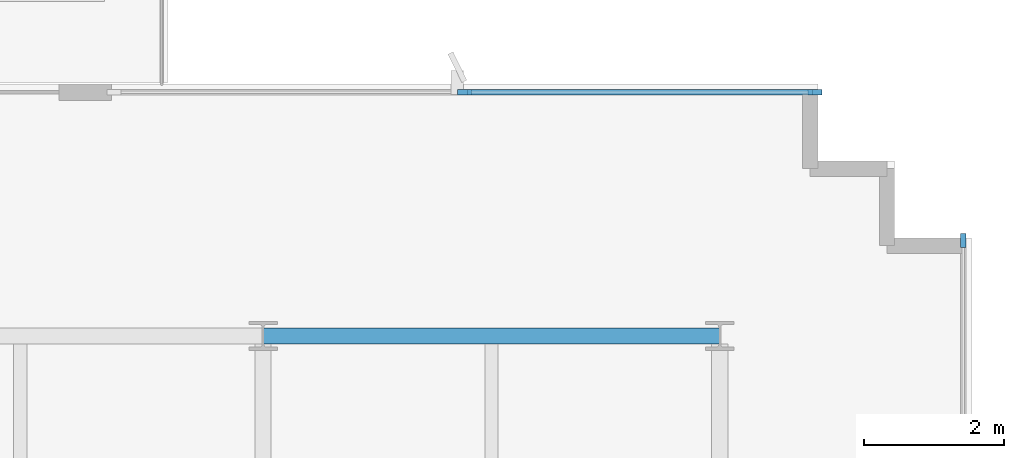
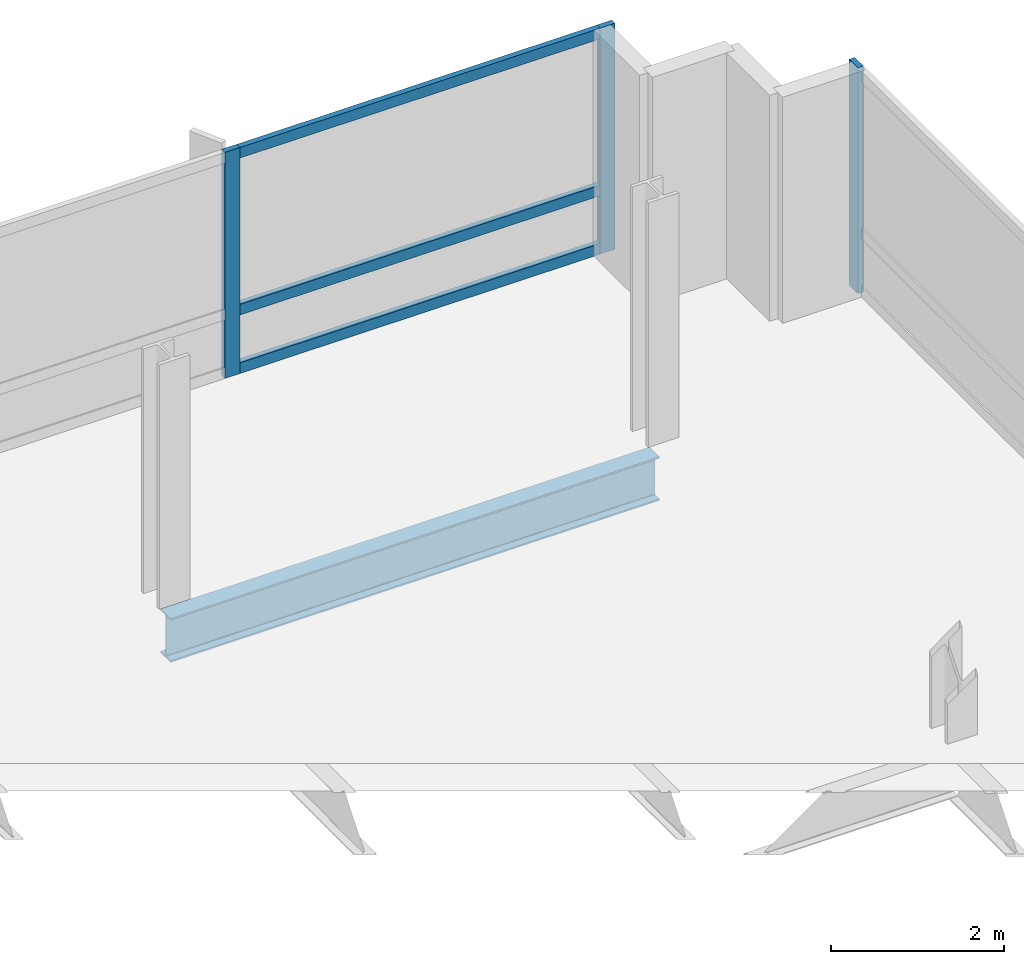
# One storey, part 6 of 13: 6 members, 1 beam, 2 elements without a shape of their own.
"""IFC4 building model written with IfcOpenShell, lengths in metres."""

from ifc_helpers import new_model, si_unit, direction, frame, origin, origin_2d, place, context, subcontext, project, spatial, rectangle, i_section, extrude, material, material_profile, profile_set, type_object, element, aggregate, save


model = new_model("IFC4")

# Units and contexts
model_context = context("Model", 3, precision=1e-05, world=origin(), true_north=direction((0.0, 1.0)))
body_context = subcontext(model_context, "Body", "Model", "MODEL_VIEW")
ifc_project = project(units=[si_unit("LENGTHUNIT", "METRE"), si_unit("AREAUNIT", "SQUARE_METRE"), si_unit("VOLUMEUNIT", "CUBIC_METRE"), si_unit("PLANEANGLEUNIT", "RADIAN"), si_unit("MASSUNIT", "GRAM", prefix="KILO")], contexts=[model_context])

# Site, building, storey
site_placement = place(None, origin())
site = spatial("IfcSite", under=ifc_project, at=site_placement, CompositionType="ELEMENT")
building_placement = place(site_placement, origin())
building = spatial("IfcBuilding", under=site, at=building_placement, Name="Solmavex Isthmus Hotel", CompositionType="ELEMENT")
storey_placement = place(building_placement, frame((0.0, 0.0, 279.89990234375)))
storey = spatial("IfcBuildingStorey", under=building, at=storey_placement, Name="L76", CompositionType="ELEMENT", Elevation=279.89990234375)

# Beam
ifc_material_1 = material(Name="Steel ASTM A992 Grade 50", Category="steel")
ifc_material_profile_1 = material_profile(ifc_material_1, i_section(OverallWidth=0.230224609375, OverallDepth=0.617431640625, WebThickness=0.01318359375, FlangeThickness=0.022216796875, FilletRadius=0.01513671875, at=origin_2d()), Name="W24X94")
ifc_profile_set_1 = profile_set([ifc_material_profile_1], Name="Steel ASTM A992 Grade 50")
beam_type = type_object("IfcBeamType", Name="BM-SP-W24X94", PredefinedType="SPANDREL", material=ifc_profile_set_1)
beam_placement = place(storey_placement, frame((13.8720703125, 17.699951171875, -0.568603515625), z_axis=(1.0, 0.0, 0.0), x_axis=(0.0, 1.0, 0.0)))
element("IfcBeam", 1, at=beam_placement, inside=storey, type_object=beam_type, Name="Floor Girder L76-UG20", PredefinedType="SPANDREL", context=body_context, shape_type="SweptSolid", body=[
    extrude(i_section(OverallWidth=0.230224609375, OverallDepth=0.617431640625, WebThickness=0.01318359375, FlangeThickness=0.022216796875, FilletRadius=0.01513671875, at=origin_2d()), origin(), (0.0, 0.0, 1.0), 6.52783203125),
])

# Curtain wall, members
ifc_material_2 = material(Name="Aluminium alloy 6063-T6", Category="aluminium")
curtain_wall_type = type_object("IfcCurtainWallType", Name="CW-SYS-04", PredefinedType="NOTDEFINED", material=ifc_material_2)
curtain_wall_1_placement = place(storey_placement, origin())
curtain_wall_1 = element("IfcCurtainWall", 2, at=curtain_wall_1_placement, inside=storey, type_object=curtain_wall_type, Name="Stick Curtain Wall CWL-L76-N3", PredefinedType="NOTDEFINED")
ifc_material_profile_2 = material_profile(ifc_material_2, rectangle(XDim=0.074951171875, YDim=0.199951171875, at=origin_2d()), Name="CWM-75X200")
ifc_profile_set_2 = profile_set([ifc_material_profile_2], Name="Aluminium alloy 6063-T6")
member_type_1 = type_object("IfcMemberType", Name="CW-SYS-04-MUL", PredefinedType="MULLION", material=ifc_profile_set_2)
member_1_placement = place(storey_placement, frame((16.751953125, 21.179931640625, 0.0), z_axis=(0.0, 0.0, 1.0), x_axis=(0.0, 1.0, 0.0)))
member_1 = element("IfcMember", 3, at=member_1_placement, type_object=member_type_1, Name="CW-04 mullion 2", PredefinedType="MULLION", context=body_context, shape_type="SweptSolid", body=[
    extrude(rectangle(XDim=0.074951171875, YDim=0.199951171875, at=origin_2d()), origin(), (0.0, 0.0, 1.0), 3.190185546875),
])
member_2_placement = place(storey_placement, frame((21.762451171875, 21.179931640625, 0.0), z_axis=(0.0, 0.0, 1.0), x_axis=(0.0, 1.0, 0.0)))
member_2 = element("IfcMember", 4, at=member_2_placement, type_object=member_type_1, Name="CW-04 mullion 3", PredefinedType="MULLION", context=body_context, shape_type="SweptSolid", body=[
    extrude(rectangle(XDim=0.074951171875, YDim=0.199951171875, at=origin_2d()), origin(), (0.0, 0.0, 1.0), 3.190185546875),
])

# Curtain wall, member
curtain_wall_2_placement = place(storey_placement, origin())
curtain_wall_2 = element("IfcCurtainWall", 5, at=curtain_wall_2_placement, inside=storey, type_object=curtain_wall_type, Name="Stick Curtain Wall CWL-L76-E1", PredefinedType="NOTDEFINED")
member_3_placement = place(storey_placement, frame((23.8798828125, 19.0625, 0.0), z_axis=(0.0, 0.0, 1.0), x_axis=(-1.0, 0.0, 0.0)))
member_3 = element("IfcMember", 6, at=member_3_placement, type_object=member_type_1, Name="CW-04 mullion 6", PredefinedType="MULLION", context=body_context, shape_type="SweptSolid", body=[
    extrude(rectangle(XDim=0.074951171875, YDim=0.199951171875, at=origin_2d()), origin(), (0.0, 0.0, 1.0), 3.190185546875),
])
aggregate(curtain_wall_2, [member_3])

# Member
ifc_material_profile_3 = material_profile(ifc_material_2, rectangle(XDim=0.074951171875, YDim=0.14990234375, at=origin_2d()), Name="CWT-75X150")
ifc_profile_set_3 = profile_set([ifc_material_profile_3], Name="Aluminium alloy 6063-T6")
member_type_2 = type_object("IfcMemberType", Name="CW-SYS-04-TRN", PredefinedType="USERDEFINED", material=ifc_profile_set_3)
member_4_placement = place(storey_placement, frame((16.78955078125, 21.179931640625, 0.0751953125), z_axis=(1.0, 0.0, 0.0), x_axis=(0.0, 1.0, 0.0)))
member_4 = element("IfcMember", 7, at=member_4_placement, type_object=member_type_2, Name="CW-04 transom 2.1", ObjectType="TRANSOM", PredefinedType="USERDEFINED", context=body_context, shape_type="SweptSolid", body=[
    extrude(rectangle(XDim=0.074951171875, YDim=0.14990234375, at=origin_2d()), origin(), (0.0, 0.0, 1.0), 4.935546875),
])

member_5_placement = place(storey_placement, frame((16.78955078125, 21.179931640625, 0.900146484375), z_axis=(1.0, 0.0, 0.0), x_axis=(0.0, 1.0, 0.0)))
member_5 = element("IfcMember", 8, at=member_5_placement, type_object=member_type_2, Name="CW-04 transom 2.2", ObjectType="TRANSOM", PredefinedType="USERDEFINED", context=body_context, shape_type="SweptSolid", body=[
    extrude(rectangle(XDim=0.074951171875, YDim=0.14990234375, at=origin_2d()), origin(), (0.0, 0.0, 1.0), 4.935546875),
])

member_6_placement = place(storey_placement, frame((16.78955078125, 21.179931640625, 3.114990234375), z_axis=(1.0, 0.0, 0.0), x_axis=(0.0, 1.0, 0.0)))
member_6 = element("IfcMember", 9, at=member_6_placement, type_object=member_type_2, Name="CW-04 transom 2.3", ObjectType="TRANSOM", PredefinedType="USERDEFINED", context=body_context, shape_type="SweptSolid", body=[
    extrude(rectangle(XDim=0.074951171875, YDim=0.14990234375, at=origin_2d()), origin(), (0.0, 0.0, 1.0), 4.935546875),
])

aggregate(curtain_wall_1, [member_1, member_2, member_4, member_5, member_6])

save(model, "model.ifc")
